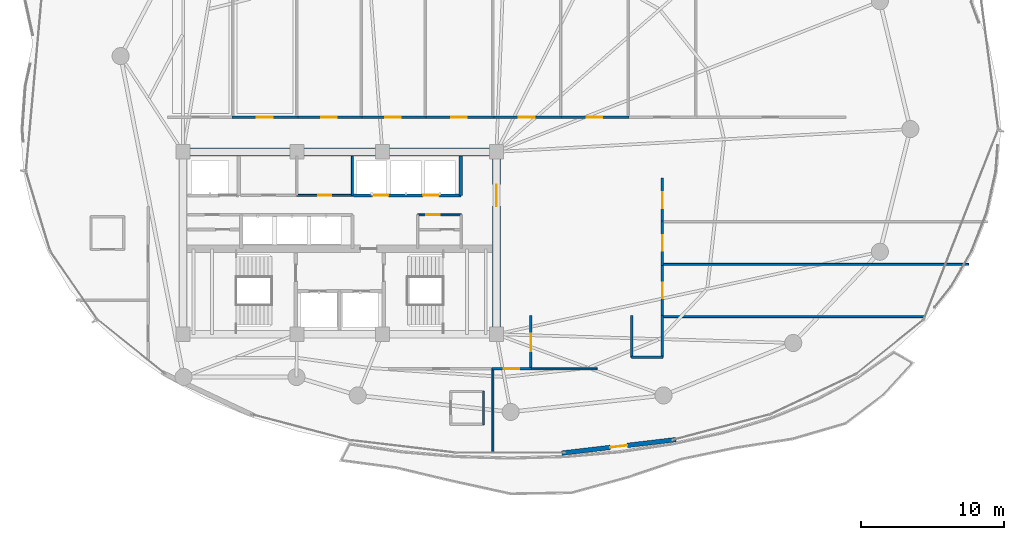
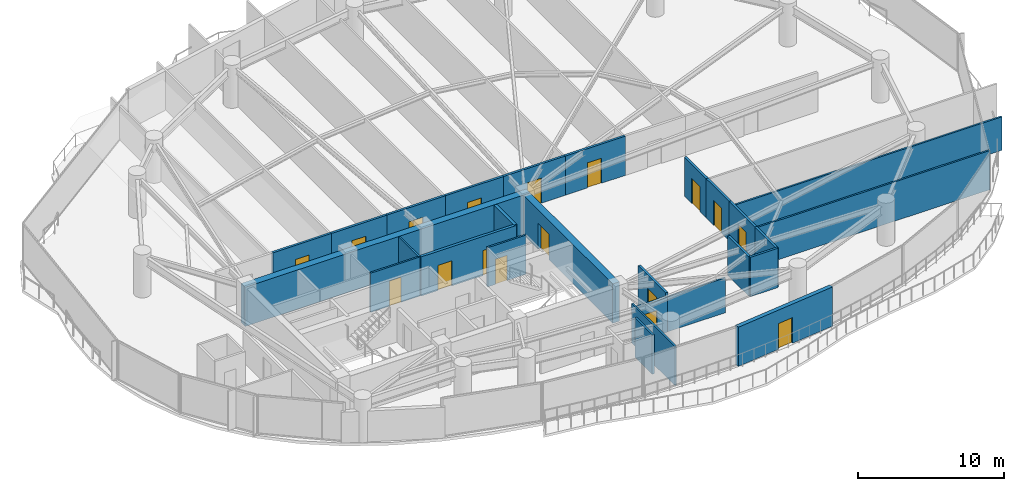
# One storey, part 27 of 33: 27 walls, 17 doors, 17 openings.
"""IFC4 building model written with IfcOpenShell, lengths in metres."""

from ifc_helpers import new_model, si_unit, direction, frame, frame_2d, origin, place, context, subcontext, project, spatial, rectangle, extrude, material, layer, layer_set, type_object, element, fill, save


model = new_model("IFC4")

# Units and contexts
model_context = context("Model", 3, precision=1e-05, world=origin(), true_north=direction((0.0, 1.0)))
body_context = subcontext(model_context, "Body", "Model", "MODEL_VIEW")
ifc_project = project(units=[si_unit("LENGTHUNIT", "METRE"), si_unit("AREAUNIT", "SQUARE_METRE"), si_unit("VOLUMEUNIT", "CUBIC_METRE"), si_unit("PLANEANGLEUNIT", "RADIAN"), si_unit("MASSUNIT", "GRAM", prefix="KILO")], contexts=[model_context])

# Site, building, storey
site_placement = place(None, origin())
site = spatial("IfcSite", under=ifc_project, at=site_placement, CompositionType="ELEMENT")
building_placement = place(site_placement, origin())
building = spatial("IfcBuilding", under=site, at=building_placement, Name="Kazevale Care Tower and Concert Hall", CompositionType="ELEMENT")
storey_placement = place(building_placement, frame((0.0, 0.0, 178.199951171875)))
storey = spatial("IfcBuildingStorey", under=building, at=storey_placement, Name="L47", CompositionType="ELEMENT", Elevation=178.199951171875)

# Wall, opening, door
ifc_material_1 = material(Name="Acoustic Gypsum on Steel Stud", Category="steel")
ifc_layer_1 = layer(ifc_material_1, 0.139892578125)
ifc_layer_set_1 = layer_set([ifc_layer_1], Name="Acoustic Gypsum on Steel Stud")
wall_type_1 = type_object("IfcWallType", Name="Acoustic Care & Suite Partition 140", PredefinedType="PARTITIONING", material=ifc_layer_set_1)
wall_1_placement = place(storey_placement, frame((30.0, 33.35009765625, 0.0), z_axis=(0.0, 0.0, 1.0), x_axis=(1.0, 0.0, 0.0)))
wall_1 = element("IfcWall", 1, at=wall_1_placement, inside=storey, type_object=wall_type_1, Name="wall:L47:c_rpl2_s", PredefinedType="PARTITIONING", context=body_context, shape_type="SweptSolid", body=[
    extrude(rectangle(XDim=3.919921875, YDim=0.139892578125, at=frame_2d((1.9599609375, 0.0))), origin(), (0.0, 0.0, 1.0), 3.280029296875),
])
opening_1_placement = place(wall_1_placement, frame((1.5, 0.0, 0.0)))
opening_1 = element("IfcOpeningElement", 2, at=opening_1_placement, cuts=wall_1, Name="Opening ID-900", PredefinedType="OPENING", context=body_context, shape_type="SweptSolid", body=[
    extrude(rectangle(XDim=0.919921875, YDim=2.10009765625, at=frame_2d((0.4599609375, 1.050048828125))), frame((0.0, 0.079833984375, 0.0), z_axis=(0.0, -1.0, 0.0), x_axis=(1.0, 0.0, 0.0)), (0.0, 0.0, 1.0), 0.159912109375),
])
ifc_material_2 = material(Name="Oak Timber Fire Leaf", Category="wood")
door_type_1 = type_object("IfcDoorType", Name="Bathroom & Service Door 920x2100", OperationType="NOTDEFINED", PredefinedType="DOOR", material=ifc_material_2)
door_1_placement = place(opening_1_placement, origin())
door_1 = element("IfcDoor", 3, at=door_1_placement, inside=storey, type_object=door_type_1, Name="door:L47:d_rpl2", OperationType="SINGLE_SWING_RIGHT", OverallHeight=2.10009765625, OverallWidth=0.919921875, PredefinedType="DOOR", context=body_context, shape_type="SweptSolid", body=[
    extrude(rectangle(XDim=0.919921875, YDim=2.10009765625, at=frame_2d((0.4599609375, 1.050048828125))), frame((0.0, 0.02490234375, 0.0), z_axis=(0.0, -1.0, 0.0), x_axis=(1.0, 0.0, 0.0)), (0.0, 0.0, 1.0), 0.050048828125),
])
fill(opening_1, door_1)

# Wall
wall_2_placement = place(storey_placement, frame((33.89990234375, 33.35009765625, 0.0), z_axis=(0.0, 0.0, 1.0), x_axis=(0.0, 1.0, 0.0)))
element("IfcWall", 4, at=wall_2_placement, inside=storey, type_object=wall_type_1, Name="wall:L47:c_rpl_e", PredefinedType="PARTITIONING", context=body_context, shape_type="SweptSolid", body=[
    extrude(rectangle(XDim=2.75, YDim=0.139892578125, at=frame_2d((1.375, 0.0))), origin(), (0.0, 0.0, 1.0), 3.280029296875),
])

# Wall, opening, door
wall_3_placement = place(storey_placement, frame((38.47998046875, 31.97998046875, 0.0), z_axis=(0.0, 0.0, 1.0), x_axis=(1.0, 0.0, 0.0)))
wall_3 = element("IfcWall", 5, at=wall_3_placement, inside=storey, type_object=wall_type_1, Name="wall:L47:kc_en", PredefinedType="PARTITIONING", context=body_context, shape_type="SweptSolid", body=[
    extrude(rectangle(XDim=3.0400390625, YDim=0.139892578125, at=frame_2d((1.52001953125, 0.0))), origin(), (0.0, 0.0, 1.0), 3.280029296875),
])
opening_2_placement = place(wall_3_placement, frame((0.614013671875, 0.0, 0.0)))
opening_2 = element("IfcOpeningElement", 6, at=opening_2_placement, cuts=wall_3, Name="Opening ID-900", PredefinedType="OPENING", context=body_context, shape_type="SweptSolid", body=[
    extrude(rectangle(XDim=0.919921875, YDim=2.10009765625, at=frame_2d((0.4599609375, 1.050048828125))), frame((0.0, 0.079833984375, 0.0), z_axis=(0.0, -1.0, 0.0), x_axis=(1.0, 0.0, 0.0)), (0.0, 0.0, 1.0), 0.159912109375),
])
door_2_placement = place(opening_2_placement, origin())
door_2 = element("IfcDoor", 7, at=door_2_placement, inside=storey, type_object=door_type_1, Name="door:L47:d_kcet", OperationType="SINGLE_SWING_LEFT", OverallHeight=2.10009765625, OverallWidth=0.919921875, PredefinedType="DOOR", context=body_context, shape_type="SweptSolid", body=[
    extrude(rectangle(XDim=0.919921875, YDim=2.10009765625, at=frame_2d((0.4599609375, 1.050048828125))), frame((0.0, 0.02490234375, 0.0), z_axis=(0.0, -1.0, 0.0), x_axis=(1.0, 0.0, 0.0)), (0.0, 0.0, 1.0), 0.050048828125),
])
fill(opening_2, door_2)

# Walls
wall_4_placement = place(storey_placement, frame((55.6201171875, 24.840087890625, 0.0), z_axis=(0.0, 0.0, 1.0), x_axis=(1.0, 0.0, 0.0)))
element("IfcWall", 8, at=wall_4_placement, inside=storey, type_object=wall_type_1, Name="wall:L47:auto_029", PredefinedType="PARTITIONING", context=body_context, shape_type="SweptSolid", body=[
    extrude(rectangle(XDim=18.44482421875, YDim=0.139892578125, at=frame_2d((9.222412109375, 0.0))), origin(), (0.0, 0.0, 1.0), 3.280029296875),
])
wall_5_placement = place(storey_placement, frame((51.06494140625, 21.175048828125, 0.0), z_axis=(0.0, 0.0, 1.0), x_axis=(-1.0, 0.0, 0.0)))
element("IfcWall", 9, at=wall_5_placement, inside=storey, type_object=wall_type_1, Name="wall:L47:auto_030", PredefinedType="PARTITIONING", context=body_context, shape_type="SweptSolid", body=[
    extrude(rectangle(XDim=4.669921875, YDim=0.139892578125, at=frame_2d((2.3349609375, 0.0))), origin(), (0.0, 0.0, 1.0), 2.916015625),
])
wall_6_placement = place(storey_placement, frame((55.6201171875, 28.5, 0.0), z_axis=(0.0, 0.0, 1.0), x_axis=(1.0, 0.0, 0.0)))
element("IfcWall", 10, at=wall_6_placement, inside=storey, type_object=wall_type_1, Name="wall:L47:auto_031", PredefinedType="PARTITIONING", context=body_context, shape_type="SweptSolid", body=[
    extrude(rectangle(XDim=21.519775390625, YDim=0.139892578125, at=frame_2d((10.759765625, 0.0))), origin(), (0.0, 0.0, 1.0), 2.81005859375),
])
wall_7_placement = place(storey_placement, frame((43.75, 21.205078125, 0.0), z_axis=(0.0, 0.0, 1.0), x_axis=(0.0, -1.0, 0.0)))
element("IfcWall", 11, at=wall_7_placement, inside=storey, type_object=wall_type_1, Name="wall:L47:auto_033", PredefinedType="PARTITIONING", context=body_context, shape_type="SweptSolid", body=[
    extrude(rectangle(XDim=5.906005859375, YDim=0.139892578125, at=frame_2d((2.953125, 0.0))), origin(), (0.0, 0.0, 1.0), 3.280029296875),
])
ifc_material_3 = material(Name="Concrete C60", Category="concrete")
ifc_layer_2 = layer(ifc_material_3, 0.550048828125)
ifc_layer_set_2 = layer_set([ifc_layer_2], Name="Concrete C60")
wall_type_2 = type_object("IfcWallType", Name="Core Shear Wall 550 C60", PredefinedType="SHEAR", material=ifc_layer_set_2)
wall_8_placement = place(storey_placement, frame((21.72509765625, 36.39990234375, 0.0), z_axis=(0.0, 0.0, 1.0), x_axis=(1.0, 0.0, 0.0)))
element("IfcWall", 12, at=wall_8_placement, inside=storey, type_object=wall_type_2, Name="wall:L47:core:N", PredefinedType="SHEAR", context=body_context, shape_type="SweptSolid", body=[
    extrude(rectangle(XDim=22.5498046875, YDim=0.550048828125, at=frame_2d((11.27490234375, 0.0))), origin(), (0.0, 0.0, 1.0), 3.280029296875),
])

# Wall, opening, door
wall_9_placement = place(storey_placement, frame((44.0, 23.875, 0.0), z_axis=(0.0, 0.0, 1.0), x_axis=(0.0, 1.0, 0.0)))
wall_9 = element("IfcWall", 13, at=wall_9_placement, inside=storey, type_object=wall_type_2, Name="wall:L47:core:E", PredefinedType="SHEAR", context=body_context, shape_type="SweptSolid", body=[
    extrude(rectangle(XDim=12.25, YDim=0.550048828125, at=frame_2d((6.125, 0.0))), origin(), (0.0, 0.0, 1.0), 3.280029296875),
])
opening_3_placement = place(wall_9_placement, frame((8.72509765625, 0.0, 0.0)))
opening_3 = element("IfcOpeningElement", 14, at=opening_3_placement, cuts=wall_9, Name="Opening FD-60D", PredefinedType="OPENING", context=body_context, shape_type="SweptSolid", body=[
    extrude(rectangle(XDim=1.5, YDim=2.14990234375, at=frame_2d((0.75, 1.074951171875))), frame((0.0, 0.284912109375, 0.0), z_axis=(0.0, -1.0, 0.0), x_axis=(1.0, 0.0, 0.0)), (0.0, 0.0, 1.0), 0.570068359375),
])
door_type_2 = type_object("IfcDoorType", Name="Double Lobby & Auditorium Fire Door 1500x2150", OperationType="NOTDEFINED", PredefinedType="DOOR", material=ifc_material_2)
door_3_placement = place(opening_3_placement, origin())
door_3 = element("IfcDoor", 15, at=door_3_placement, inside=storey, type_object=door_type_2, Name="door:L47:core_east_out", OperationType="DOUBLE_DOOR_SINGLE_SWING", OverallHeight=2.14990234375, OverallWidth=1.5, PredefinedType="DOOR", context=body_context, shape_type="SweptSolid", body=[
    extrude(rectangle(XDim=1.5, YDim=2.14990234375, at=frame_2d((0.75, 1.074951171875))), frame((0.0, 0.02490234375, 0.0), z_axis=(0.0, -1.0, 0.0), x_axis=(1.0, 0.0, 0.0)), (0.0, 0.0, 1.0), 0.050048828125),
])
fill(opening_3, door_3)

# Wall, openings, doors
ifc_material_4 = material(Name="Concrete C40", Category="concrete")
ifc_layer_3 = layer(ifc_material_4, 0.219970703125)
ifc_layer_set_3 = layer_set([ifc_layer_3], Name="Concrete C40")
wall_type_3 = type_object("IfcWallType", Name="Elevator Hoistway Shaft Wall 220", PredefinedType="SOLIDWALL", material=ifc_layer_set_3)
wall_10_placement = place(storey_placement, frame((33.97998046875, 33.35009765625, 0.0), z_axis=(0.0, 0.0, 1.0), x_axis=(1.0, 0.0, 0.0)))
wall_10 = element("IfcWall", 16, at=wall_10_placement, inside=storey, type_object=wall_type_3, Name="wall:L47:c_pm_s", PredefinedType="SOLIDWALL", context=body_context, shape_type="SweptSolid", body=[
    extrude(rectangle(XDim=7.5400390625, YDim=0.219970703125, at=frame_2d((3.77001953125, 0.0))), origin(), (0.0, 0.0, 1.0), 3.280029296875),
])
opening_4_placement = place(wall_10_placement, frame((1.3349609375, 0.0, 0.0)))
opening_4 = element("IfcOpeningElement", 17, at=opening_4_placement, cuts=wall_10, Name="Opening LD-PAX", PredefinedType="OPENING", context=body_context, shape_type="SweptSolid", body=[
    extrude(rectangle(XDim=1.10009765625, YDim=2.10009765625, at=frame_2d((0.550048828125, 1.050048828125))), frame((0.0, 0.119873046875, 0.0), z_axis=(0.0, -1.0, 0.0), x_axis=(1.0, 0.0, 0.0)), (0.0, 0.0, 1.0), 0.239990234375),
])
opening_5_placement = place(wall_10_placement, frame((4.87890625, 0.0, 0.0)))
opening_5 = element("IfcOpeningElement", 18, at=opening_5_placement, cuts=wall_10, Name="Opening LD-PAX", PredefinedType="OPENING", context=body_context, shape_type="SweptSolid", body=[
    extrude(rectangle(XDim=1.10009765625, YDim=2.10009765625, at=frame_2d((0.550048828125, 1.050048828125))), frame((0.0, 0.119873046875, 0.0), z_axis=(0.0, -1.0, 0.0), x_axis=(1.0, 0.0, 0.0)), (0.0, 0.0, 1.0), 0.239990234375),
])
ifc_material_5 = material(Name="Stainless Steel 316", Category="steel")
door_type_3 = type_object("IfcDoorType", Name="Passenger Lift Sliding Landing Door 1100x2100", OperationType="NOTDEFINED", PredefinedType="DOOR", material=ifc_material_5)
door_4_placement = place(opening_4_placement, origin())
door_4 = element("IfcDoor", 19, at=door_4_placement, inside=storey, type_object=door_type_3, Name="door:L47:ld_pm1", OperationType="SLIDING_TO_LEFT", OverallHeight=2.10009765625, OverallWidth=1.10009765625, PredefinedType="DOOR", context=body_context, shape_type="SweptSolid", body=[
    extrude(rectangle(XDim=1.10009765625, YDim=2.10009765625, at=frame_2d((0.550048828125, 1.050048828125))), frame((0.0, 0.02490234375, 0.0), z_axis=(0.0, -1.0, 0.0), x_axis=(1.0, 0.0, 0.0)), (0.0, 0.0, 1.0), 0.050048828125),
])
fill(opening_4, door_4)
door_5_placement = place(opening_5_placement, origin())
door_5 = element("IfcDoor", 20, at=door_5_placement, inside=storey, type_object=door_type_3, Name="door:L47:ld_pm2", OperationType="SLIDING_TO_RIGHT", OverallHeight=2.10009765625, OverallWidth=1.10009765625, PredefinedType="DOOR", context=body_context, shape_type="SweptSolid", body=[
    extrude(rectangle(XDim=1.10009765625, YDim=2.10009765625, at=frame_2d((0.550048828125, 1.050048828125))), frame((0.0, 0.02490234375, 0.0), z_axis=(0.0, -1.0, 0.0), x_axis=(1.0, 0.0, 0.0)), (0.0, 0.0, 1.0), 0.050048828125),
])
fill(opening_5, door_5)

# Wall
wall_11_placement = place(storey_placement, frame((41.5, 33.35009765625, 0.0), z_axis=(0.0, 0.0, 1.0), x_axis=(0.0, 1.0, 0.0)))
element("IfcWall", 21, at=wall_11_placement, inside=storey, type_object=wall_type_3, Name="wall:L47:c_pm_e", PredefinedType="SOLIDWALL", context=body_context, shape_type="SweptSolid", body=[
    extrude(rectangle(XDim=2.75, YDim=0.219970703125, at=frame_2d((1.375, 0.0))), origin(), (0.0, 0.0, 1.0), 3.280029296875),
])

# Wall, opening, door
ifc_material_6 = material(Name="Concrete C40 and Acoustic Gypsum", Category="concrete")
ifc_layer_4 = layer(ifc_material_6, 0.179931640625)
ifc_layer_set_4 = layer_set([ifc_layer_4], Name="Concrete C40 and Acoustic Gypsum")
wall_type_4 = type_object("IfcWallType", Name="Fire-Rated Corridor & Party Wall 180", PredefinedType="PARTITIONING", material=ifc_layer_set_4)
wall_12_placement = place(storey_placement, frame((25.43505859375, 38.824951171875, 0.0), z_axis=(0.0, 0.0, 1.0), x_axis=(1.0, 0.0, 0.0)))
wall_12 = element("IfcWall", 22, at=wall_12_placement, inside=storey, type_object=wall_type_4, Name="wall:L47:auto_002", PredefinedType="PARTITIONING", context=body_context, shape_type="SweptSolid", body=[
    extrude(rectangle(XDim=4.6298828125, YDim=0.179931640625, at=frame_2d((2.31494140625, 0.0))), origin(), (0.0, 0.0, 1.0), 3.280029296875),
])
opening_6_placement = place(wall_12_placement, frame((1.764892578125, 0.0, 0.0)))
opening_6 = element("IfcOpeningElement", 23, at=opening_6_placement, cuts=wall_12, Name="Opening ID-1100", PredefinedType="OPENING", context=body_context, shape_type="SweptSolid", body=[
    extrude(rectangle(XDim=1.10009765625, YDim=2.10009765625, at=frame_2d((0.550048828125, 1.050048828125))), frame((0.0, 0.099853515625, 0.0), z_axis=(0.0, -1.0, 0.0), x_axis=(1.0, 0.0, 0.0)), (0.0, 0.0, 1.0), 0.199951171875),
])
door_type_4 = type_object("IfcDoorType", Name="Care Bedroom Accessible Door 1100x2100", OperationType="NOTDEFINED", PredefinedType="DOOR", material=ifc_material_2)
door_6_placement = place(opening_6_placement, origin())
door_6 = element("IfcDoor", 24, at=door_6_placement, inside=storey, type_object=door_type_4, Name="door:L47:ad_002", OperationType="SINGLE_SWING_LEFT", OverallHeight=2.10009765625, OverallWidth=1.10009765625, PredefinedType="DOOR", context=body_context, shape_type="SweptSolid", body=[
    extrude(rectangle(XDim=1.10009765625, YDim=2.10009765625, at=frame_2d((0.550048828125, 1.050048828125))), frame((0.0, 0.02490234375, 0.0), z_axis=(0.0, -1.0, 0.0), x_axis=(1.0, 0.0, 0.0)), (0.0, 0.0, 1.0), 0.050048828125),
])
fill(opening_6, door_6)

wall_13_placement = place(storey_placement, frame((29.93505859375, 38.824951171875, 0.0), z_axis=(0.0, 0.0, 1.0), x_axis=(1.0, 0.0, 0.0)))
wall_13 = element("IfcWall", 25, at=wall_13_placement, inside=storey, type_object=wall_type_4, Name="wall:L47:auto_003", PredefinedType="PARTITIONING", context=body_context, shape_type="SweptSolid", body=[
    extrude(rectangle(XDim=4.6298828125, YDim=0.179931640625, at=frame_2d((2.31494140625, 0.0))), origin(), (0.0, 0.0, 1.0), 3.280029296875),
])
opening_7_placement = place(wall_13_placement, frame((1.764892578125, 0.0, 0.0)))
opening_7 = element("IfcOpeningElement", 26, at=opening_7_placement, cuts=wall_13, Name="Opening ID-1100", PredefinedType="OPENING", context=body_context, shape_type="SweptSolid", body=[
    extrude(rectangle(XDim=1.10009765625, YDim=2.10009765625, at=frame_2d((0.550048828125, 1.050048828125))), frame((0.0, 0.099853515625, 0.0), z_axis=(0.0, -1.0, 0.0), x_axis=(1.0, 0.0, 0.0)), (0.0, 0.0, 1.0), 0.199951171875),
])
door_7_placement = place(opening_7_placement, origin())
door_7 = element("IfcDoor", 27, at=door_7_placement, inside=storey, type_object=door_type_4, Name="door:L47:ad_003", OperationType="SINGLE_SWING_LEFT", OverallHeight=2.10009765625, OverallWidth=1.10009765625, PredefinedType="DOOR", context=body_context, shape_type="SweptSolid", body=[
    extrude(rectangle(XDim=1.10009765625, YDim=2.10009765625, at=frame_2d((0.550048828125, 1.050048828125))), frame((0.0, 0.02490234375, 0.0), z_axis=(0.0, -1.0, 0.0), x_axis=(1.0, 0.0, 0.0)), (0.0, 0.0, 1.0), 0.050048828125),
])
fill(opening_7, door_7)

wall_14_placement = place(storey_placement, frame((34.43505859375, 38.824951171875, 0.0), z_axis=(0.0, 0.0, 1.0), x_axis=(1.0, 0.0, 0.0)))
wall_14 = element("IfcWall", 28, at=wall_14_placement, inside=storey, type_object=wall_type_4, Name="wall:L47:auto_004", PredefinedType="PARTITIONING", context=body_context, shape_type="SweptSolid", body=[
    extrude(rectangle(XDim=4.6298828125, YDim=0.179931640625, at=frame_2d((2.31494140625, 0.0))), origin(), (0.0, 0.0, 1.0), 3.280029296875),
])
opening_8_placement = place(wall_14_placement, frame((1.764892578125, 0.0, 0.0)))
opening_8 = element("IfcOpeningElement", 29, at=opening_8_placement, cuts=wall_14, Name="Opening ID-1100", PredefinedType="OPENING", context=body_context, shape_type="SweptSolid", body=[
    extrude(rectangle(XDim=1.10009765625, YDim=2.10009765625, at=frame_2d((0.550048828125, 1.050048828125))), frame((0.0, 0.099853515625, 0.0), z_axis=(0.0, -1.0, 0.0), x_axis=(1.0, 0.0, 0.0)), (0.0, 0.0, 1.0), 0.199951171875),
])
door_8_placement = place(opening_8_placement, origin())
door_8 = element("IfcDoor", 30, at=door_8_placement, inside=storey, type_object=door_type_4, Name="door:L47:ad_004", OperationType="SINGLE_SWING_LEFT", OverallHeight=2.10009765625, OverallWidth=1.10009765625, PredefinedType="DOOR", context=body_context, shape_type="SweptSolid", body=[
    extrude(rectangle(XDim=1.10009765625, YDim=2.10009765625, at=frame_2d((0.550048828125, 1.050048828125))), frame((0.0, 0.02490234375, 0.0), z_axis=(0.0, -1.0, 0.0), x_axis=(1.0, 0.0, 0.0)), (0.0, 0.0, 1.0), 0.050048828125),
])
fill(opening_8, door_8)

wall_15_placement = place(storey_placement, frame((38.93505859375, 38.824951171875, 0.0), z_axis=(0.0, 0.0, 1.0), x_axis=(1.0, 0.0, 0.0)))
wall_15 = element("IfcWall", 31, at=wall_15_placement, inside=storey, type_object=wall_type_4, Name="wall:L47:auto_005", PredefinedType="PARTITIONING", context=body_context, shape_type="SweptSolid", body=[
    extrude(rectangle(XDim=4.8798828125, YDim=0.179931640625, at=frame_2d((2.43994140625, 0.0))), origin(), (0.0, 0.0, 1.0), 3.280029296875),
])
opening_9_placement = place(wall_15_placement, frame((1.889892578125, 0.0, 0.0)))
opening_9 = element("IfcOpeningElement", 32, at=opening_9_placement, cuts=wall_15, Name="Opening ID-1100", PredefinedType="OPENING", context=body_context, shape_type="SweptSolid", body=[
    extrude(rectangle(XDim=1.10009765625, YDim=2.10009765625, at=frame_2d((0.550048828125, 1.050048828125))), frame((0.0, 0.099853515625, 0.0), z_axis=(0.0, -1.0, 0.0), x_axis=(1.0, 0.0, 0.0)), (0.0, 0.0, 1.0), 0.199951171875),
])
door_9_placement = place(opening_9_placement, origin())
door_9 = element("IfcDoor", 33, at=door_9_placement, inside=storey, type_object=door_type_4, Name="door:L47:ad_005", OperationType="SINGLE_SWING_LEFT", OverallHeight=2.10009765625, OverallWidth=1.10009765625, PredefinedType="DOOR", context=body_context, shape_type="SweptSolid", body=[
    extrude(rectangle(XDim=1.10009765625, YDim=2.10009765625, at=frame_2d((0.550048828125, 1.050048828125))), frame((0.0, 0.02490234375, 0.0), z_axis=(0.0, -1.0, 0.0), x_axis=(1.0, 0.0, 0.0)), (0.0, 0.0, 1.0), 0.050048828125),
])
fill(opening_9, door_9)

wall_16_placement = place(storey_placement, frame((43.68505859375, 38.824951171875, 0.0), z_axis=(0.0, 0.0, 1.0), x_axis=(1.0, 0.0, 0.0)))
wall_16 = element("IfcWall", 34, at=wall_16_placement, inside=storey, type_object=wall_type_4, Name="wall:L47:auto_006", PredefinedType="PARTITIONING", context=body_context, shape_type="SweptSolid", body=[
    extrude(rectangle(XDim=4.8798828125, YDim=0.179931640625, at=frame_2d((2.43994140625, 0.0))), origin(), (0.0, 0.0, 1.0), 3.280029296875),
])
opening_10_placement = place(wall_16_placement, frame((1.889892578125, 0.0, 0.0)))
opening_10 = element("IfcOpeningElement", 35, at=opening_10_placement, cuts=wall_16, Name="Opening ID-1100", PredefinedType="OPENING", context=body_context, shape_type="SweptSolid", body=[
    extrude(rectangle(XDim=1.10009765625, YDim=2.10009765625, at=frame_2d((0.550048828125, 1.050048828125))), frame((0.0, 0.099853515625, 0.0), z_axis=(0.0, -1.0, 0.0), x_axis=(1.0, 0.0, 0.0)), (0.0, 0.0, 1.0), 0.199951171875),
])
door_10_placement = place(opening_10_placement, origin())
door_10 = element("IfcDoor", 36, at=door_10_placement, inside=storey, type_object=door_type_4, Name="door:L47:ad_006", OperationType="SINGLE_SWING_LEFT", OverallHeight=2.10009765625, OverallWidth=1.10009765625, PredefinedType="DOOR", context=body_context, shape_type="SweptSolid", body=[
    extrude(rectangle(XDim=1.10009765625, YDim=2.10009765625, at=frame_2d((0.550048828125, 1.050048828125))), frame((0.0, 0.02490234375, 0.0), z_axis=(0.0, -1.0, 0.0), x_axis=(1.0, 0.0, 0.0)), (0.0, 0.0, 1.0), 0.050048828125),
])
fill(opening_10, door_10)

wall_17_placement = place(storey_placement, frame((48.43505859375, 38.824951171875, 0.0), z_axis=(0.0, 0.0, 1.0), x_axis=(1.0, 0.0, 0.0)))
wall_17 = element("IfcWall", 37, at=wall_17_placement, inside=storey, type_object=wall_type_4, Name="wall:L47:auto_007", PredefinedType="PARTITIONING", context=body_context, shape_type="SweptSolid", body=[
    extrude(rectangle(XDim=4.8798828125, YDim=0.179931640625, at=frame_2d((2.43994140625, 0.0))), origin(), (0.0, 0.0, 1.0), 3.280029296875),
])
opening_11_placement = place(wall_17_placement, frame((1.889892578125, 0.0, 0.0)))
opening_11 = element("IfcOpeningElement", 38, at=opening_11_placement, cuts=wall_17, Name="Opening ID-1100", PredefinedType="OPENING", context=body_context, shape_type="SweptSolid", body=[
    extrude(rectangle(XDim=1.10009765625, YDim=2.10009765625, at=frame_2d((0.550048828125, 1.050048828125))), frame((0.0, 0.099853515625, 0.0), z_axis=(0.0, -1.0, 0.0), x_axis=(1.0, 0.0, 0.0)), (0.0, 0.0, 1.0), 0.199951171875),
])
door_11_placement = place(opening_11_placement, origin())
door_11 = element("IfcDoor", 39, at=door_11_placement, inside=storey, type_object=door_type_4, Name="door:L47:ad_007", OperationType="SINGLE_SWING_LEFT", OverallHeight=2.10009765625, OverallWidth=1.10009765625, PredefinedType="DOOR", context=body_context, shape_type="SweptSolid", body=[
    extrude(rectangle(XDim=1.10009765625, YDim=2.10009765625, at=frame_2d((0.550048828125, 1.050048828125))), frame((0.0, 0.02490234375, 0.0), z_axis=(0.0, -1.0, 0.0), x_axis=(1.0, 0.0, 0.0)), (0.0, 0.0, 1.0), 0.050048828125),
])
fill(opening_11, door_11)

wall_18_placement = place(storey_placement, frame((46.425048828125, 24.905029296875, 0.0), z_axis=(0.0, 0.0, 1.0), x_axis=(0.0, -1.0, 0.0)))
wall_18 = element("IfcWall", 40, at=wall_18_placement, inside=storey, type_object=wall_type_4, Name="wall:L47:auto_010", PredefinedType="PARTITIONING", context=body_context, shape_type="SweptSolid", body=[
    extrude(rectangle(XDim=3.760009765625, YDim=0.179931640625, at=frame_2d((1.8798828125, 0.0))), origin(), (0.0, 0.0, 1.0), 3.280029296875),
])
opening_12_placement = place(wall_18_placement, frame((1.280029296875, 0.0, 0.0)))
opening_12 = element("IfcOpeningElement", 41, at=opening_12_placement, cuts=wall_18, Name="Opening ID-1200", PredefinedType="OPENING", context=body_context, shape_type="SweptSolid", body=[
    extrude(rectangle(XDim=1.199951171875, YDim=2.14990234375, at=frame_2d((0.60009765625, 1.074951171875))), frame((0.0, 0.099853515625, 0.0), z_axis=(0.0, -1.0, 0.0), x_axis=(1.0, 0.0, 0.0)), (0.0, 0.0, 1.0), 0.199951171875),
])
door_type_5 = type_object("IfcDoorType", Name="Clinical & Therapy Door 1200x2150", OperationType="NOTDEFINED", PredefinedType="DOOR", material=ifc_material_2)
door_12_placement = place(opening_12_placement, origin())
door_12 = element("IfcDoor", 42, at=door_12_placement, inside=storey, type_object=door_type_5, Name="door:L47:ad_010", OperationType="SINGLE_SWING_LEFT", OverallHeight=2.14990234375, OverallWidth=1.199951171875, PredefinedType="DOOR", context=body_context, shape_type="SweptSolid", body=[
    extrude(rectangle(XDim=1.199951171875, YDim=2.14990234375, at=frame_2d((0.60009765625, 1.074951171875))), frame((0.0, 0.02490234375, 0.0), z_axis=(0.0, -1.0, 0.0), x_axis=(1.0, 0.0, 0.0)), (0.0, 0.0, 1.0), 0.050048828125),
])
fill(opening_12, door_12)

# Walls
for number, where, z_axis, x_axis, name in (
    (43, (55.64990234375, 24.905029296875, 0.0), (0.0, 0.0, 1.0), (0.0, -1.0, 0.0), "wall:L47:auto_011"),
    (44, (53.5, 21.969970703125, 0.0), (0.0, 0.0, 1.0), (0.0, 1.0, 0.0), "wall:L47:auto_012"),
):
    element("IfcWall", number, at=place(storey_placement, frame(where, z_axis=z_axis, x_axis=x_axis)), inside=storey, type_object=wall_type_4, Name=name, PredefinedType="PARTITIONING", context=body_context, shape_type="SweptSolid", body=[
        extrude(rectangle(XDim=2.93505859375, YDim=0.179931640625, at=frame_2d((1.467529296875, 0.0))), origin(), (0.0, 0.0, 1.0), 3.280029296875),
    ])
wall_19_placement = place(storey_placement, frame((55.679931640625, 22.0, 0.0), z_axis=(0.0, 0.0, 1.0), x_axis=(-1.0, 0.0, 0.0)))
element("IfcWall", 45, at=wall_19_placement, inside=storey, type_object=wall_type_4, Name="wall:L47:auto_013", PredefinedType="PARTITIONING", context=body_context, shape_type="SweptSolid", body=[
    extrude(rectangle(XDim=2.2099609375, YDim=0.179931640625, at=frame_2d((1.10498046875, 0.0))), origin(), (0.0, 0.0, 1.0), 3.280029296875),
])

# Wall, opening, door
wall_20_placement = place(storey_placement, frame((55.64990234375, 28.56494140625, 0.0), z_axis=(0.0, 0.0, 1.0), x_axis=(0.0, -1.0, 0.0)))
wall_20 = element("IfcWall", 46, at=wall_20_placement, inside=storey, type_object=wall_type_4, Name="wall:L47:auto_014", PredefinedType="PARTITIONING", context=body_context, shape_type="SweptSolid", body=[
    extrude(rectangle(XDim=3.7900390625, YDim=0.179931640625, at=frame_2d((1.89501953125, 0.0))), origin(), (0.0, 0.0, 1.0), 3.280029296875),
])
opening_13_placement = place(wall_20_placement, frame((1.344970703125, 0.0, 0.0)))
opening_13 = element("IfcOpeningElement", 47, at=opening_13_placement, cuts=wall_20, Name="Opening ID-1100", PredefinedType="OPENING", context=body_context, shape_type="SweptSolid", body=[
    extrude(rectangle(XDim=1.10009765625, YDim=2.10009765625, at=frame_2d((0.550048828125, 1.050048828125))), frame((0.0, 0.099853515625, 0.0), z_axis=(0.0, -1.0, 0.0), x_axis=(1.0, 0.0, 0.0)), (0.0, 0.0, 1.0), 0.199951171875),
])
door_13_placement = place(opening_13_placement, origin())
door_13 = element("IfcDoor", 48, at=door_13_placement, inside=storey, type_object=door_type_4, Name="door:L47:ad_014", OperationType="SINGLE_SWING_LEFT", OverallHeight=2.10009765625, OverallWidth=1.10009765625, PredefinedType="DOOR", context=body_context, shape_type="SweptSolid", body=[
    extrude(rectangle(XDim=1.10009765625, YDim=2.10009765625, at=frame_2d((0.550048828125, 1.050048828125))), frame((0.0, 0.02490234375, 0.0), z_axis=(0.0, -1.0, 0.0), x_axis=(1.0, 0.0, 0.0)), (0.0, 0.0, 1.0), 0.050048828125),
])
fill(opening_13, door_13)

wall_21_placement = place(storey_placement, frame((55.64990234375, 31.56494140625, 0.0), z_axis=(0.0, 0.0, 1.0), x_axis=(0.0, -1.0, 0.0)))
wall_21 = element("IfcWall", 49, at=wall_21_placement, inside=storey, type_object=wall_type_4, Name="wall:L47:auto_015", PredefinedType="PARTITIONING", context=body_context, shape_type="SweptSolid", body=[
    extrude(rectangle(XDim=3.1298828125, YDim=0.179931640625, at=frame_2d((1.56494140625, 0.0))), origin(), (0.0, 0.0, 1.0), 3.280029296875),
])
opening_14_placement = place(wall_21_placement, frame((1.014892578125, 0.0, 0.0)))
opening_14 = element("IfcOpeningElement", 50, at=opening_14_placement, cuts=wall_21, Name="Opening ID-1100", PredefinedType="OPENING", context=body_context, shape_type="SweptSolid", body=[
    extrude(rectangle(XDim=1.10009765625, YDim=2.10009765625, at=frame_2d((0.550048828125, 1.050048828125))), frame((0.0, 0.099853515625, 0.0), z_axis=(0.0, -1.0, 0.0), x_axis=(1.0, 0.0, 0.0)), (0.0, 0.0, 1.0), 0.199951171875),
])
door_14_placement = place(opening_14_placement, origin())
door_14 = element("IfcDoor", 51, at=door_14_placement, inside=storey, type_object=door_type_4, Name="door:L47:ad_015", OperationType="SINGLE_SWING_LEFT", OverallHeight=2.10009765625, OverallWidth=1.10009765625, PredefinedType="DOOR", context=body_context, shape_type="SweptSolid", body=[
    extrude(rectangle(XDim=1.10009765625, YDim=2.10009765625, at=frame_2d((0.550048828125, 1.050048828125))), frame((0.0, 0.02490234375, 0.0), z_axis=(0.0, -1.0, 0.0), x_axis=(1.0, 0.0, 0.0)), (0.0, 0.0, 1.0), 0.050048828125),
])
fill(opening_14, door_14)

wall_22_placement = place(storey_placement, frame((55.64990234375, 34.56494140625, 0.0), z_axis=(0.0, 0.0, 1.0), x_axis=(0.0, -1.0, 0.0)))
wall_22 = element("IfcWall", 52, at=wall_22_placement, inside=storey, type_object=wall_type_4, Name="wall:L47:auto_016", PredefinedType="PARTITIONING", context=body_context, shape_type="SweptSolid", body=[
    extrude(rectangle(XDim=3.1298828125, YDim=0.179931640625, at=frame_2d((1.56494140625, 0.0))), origin(), (0.0, 0.0, 1.0), 3.280029296875),
])
opening_15_placement = place(wall_22_placement, frame((1.014892578125, 0.0, 0.0)))
opening_15 = element("IfcOpeningElement", 53, at=opening_15_placement, cuts=wall_22, Name="Opening ID-1100", PredefinedType="OPENING", context=body_context, shape_type="SweptSolid", body=[
    extrude(rectangle(XDim=1.10009765625, YDim=2.10009765625, at=frame_2d((0.550048828125, 1.050048828125))), frame((0.0, 0.099853515625, 0.0), z_axis=(0.0, -1.0, 0.0), x_axis=(1.0, 0.0, 0.0)), (0.0, 0.0, 1.0), 0.199951171875),
])
door_15_placement = place(opening_15_placement, origin())
door_15 = element("IfcDoor", 54, at=door_15_placement, inside=storey, type_object=door_type_4, Name="door:L47:ad_016", OperationType="SINGLE_SWING_LEFT", OverallHeight=2.10009765625, OverallWidth=1.10009765625, PredefinedType="DOOR", context=body_context, shape_type="SweptSolid", body=[
    extrude(rectangle(XDim=1.10009765625, YDim=2.10009765625, at=frame_2d((0.550048828125, 1.050048828125))), frame((0.0, 0.02490234375, 0.0), z_axis=(0.0, -1.0, 0.0), x_axis=(1.0, 0.0, 0.0)), (0.0, 0.0, 1.0), 0.050048828125),
])
fill(opening_15, door_15)

wall_23_placement = place(storey_placement, frame((46.455078125, 21.175048828125, 0.0), z_axis=(0.0, 0.0, 1.0), x_axis=(-1.0, 0.0, 0.0)))
wall_23 = element("IfcWall", 55, at=wall_23_placement, inside=storey, type_object=wall_type_4, Name="wall:L47:auto_018", PredefinedType="PARTITIONING", context=body_context, shape_type="SweptSolid", body=[
    extrude(rectangle(XDim=2.77001953125, YDim=0.179931640625, at=frame_2d((1.385009765625, 0.0))), origin(), (0.0, 0.0, 1.0), 2.916015625),
])
opening_16_placement = place(wall_23_placement, frame((0.8349609375, 0.0, 0.0)))
opening_16 = element("IfcOpeningElement", 56, at=opening_16_placement, cuts=wall_23, Name="Opening ID-1100", PredefinedType="OPENING", context=body_context, shape_type="SweptSolid", body=[
    extrude(rectangle(XDim=1.10009765625, YDim=2.10009765625, at=frame_2d((0.550048828125, 1.050048828125))), frame((0.0, 0.099853515625, 0.0), z_axis=(0.0, -1.0, 0.0), x_axis=(1.0, 0.0, 0.0)), (0.0, 0.0, 1.0), 0.199951171875),
])
door_16_placement = place(opening_16_placement, origin())
door_16 = element("IfcDoor", 57, at=door_16_placement, inside=storey, type_object=door_type_4, Name="door:L47:ad_018", OperationType="SINGLE_SWING_LEFT", OverallHeight=2.10009765625, OverallWidth=1.10009765625, PredefinedType="DOOR", context=body_context, shape_type="SweptSolid", body=[
    extrude(rectangle(XDim=1.10009765625, YDim=2.10009765625, at=frame_2d((0.550048828125, 1.050048828125))), frame((0.0, 0.02490234375, 0.0), z_axis=(0.0, -1.0, 0.0), x_axis=(1.0, 0.0, 0.0)), (0.0, 0.0, 1.0), 0.050048828125),
])
fill(opening_16, door_16)

# Wall
ifc_layer_5 = layer(ifc_material_1, 0.159912109375)
ifc_layer_set_5 = layer_set([ifc_layer_5], Name="Acoustic Gypsum on Steel Stud")
wall_type_5 = type_object("IfcWallType", Name="Moisture-Resistant Bathroom Plumbing Wall 160", PredefinedType="PLUMBINGWALL", material=ifc_layer_set_5)
wall_24_placement = place(storey_placement, frame((43.10009765625, 17.241943359375, 0.0), z_axis=(0.0, 0.0, 1.0), x_axis=(0.0, 1.0, 0.0)))
element("IfcWall", 58, at=wall_24_placement, inside=storey, type_object=wall_type_5, Name="wall:L47:sb2a_ens_we", PredefinedType="PLUMBINGWALL", context=body_context, shape_type="SweptSolid", body=[
    extrude(rectangle(XDim=2.380126953125, YDim=0.159912109375, at=frame_2d((1.18994140625, 0.0))), origin(), (0.0, 0.0, 1.0), 3.280029296875),
])

# Wall, opening, door
ifc_material_7 = material(Name="Concrete C40 with Honed Limestone Cladding", Category="masonry")
ifc_layer_6 = layer(ifc_material_7, 0.320068359375)
ifc_layer_set_6 = layer_set([ifc_layer_6], Name="Concrete C40 with Honed Limestone Cladding")
wall_type_6 = type_object("IfcWallType", Name="Tower Honed Limestone Spandrel Wall 320", PredefinedType="STANDARD", material=ifc_layer_set_6)
wall_25_placement = place(storey_placement, frame((56.5869140625, 16.205078125, 0.0), z_axis=(0.0, 0.0, 1.0), x_axis=(-0.993072847957, -0.117500292131, 0.0)))
wall_25 = element("IfcWall", 59, at=wall_25_placement, inside=storey, type_object=wall_type_6, Name="wall:L47:bal_host", PredefinedType="STANDARD", context=body_context, shape_type="SweptSolid", body=[
    extrude(rectangle(XDim=8.059814453125, YDim=0.320068359375, at=frame_2d((4.02978515625, 0.0))), origin(), (0.0, 0.0, 1.0), 3.280029296875),
])
opening_17_placement = place(wall_25_placement, frame((3.429931640625, 0.0, 0.0)))
opening_17 = element("IfcOpeningElement", 60, at=opening_17_placement, cuts=wall_25, Name="Opening BD-1200", PredefinedType="OPENING", context=body_context, shape_type="SweptSolid", body=[
    extrude(rectangle(XDim=1.199951171875, YDim=2.14990234375, at=frame_2d((0.60009765625, 1.074951171875))), frame((0.0, 0.169921875, 0.0), z_axis=(0.0, -1.0, 0.0), x_axis=(1.0, 0.0, 0.0)), (0.0, 0.0, 1.0), 0.340087890625),
])
ifc_material_8 = material(Name="Aluminium 6063-T6 and Low-E Glass", Category="aluminium")
door_type_6 = type_object("IfcDoorType", Name="Sheltered Balcony Glazed Door 1200x2150", OperationType="NOTDEFINED", PredefinedType="DOOR", material=ifc_material_8)
door_17_placement = place(opening_17_placement, origin())
door_17 = element("IfcDoor", 61, at=door_17_placement, inside=storey, type_object=door_type_6, Name="door:L47:BD-1", OperationType="SINGLE_SWING_LEFT", OverallHeight=2.14990234375, OverallWidth=1.199951171875, PredefinedType="DOOR", context=body_context, shape_type="SweptSolid", body=[
    extrude(rectangle(XDim=1.199951171875, YDim=2.14990234375, at=frame_2d((0.60009765625, 1.074951171875))), frame((0.0, 0.02490234375, 0.0), z_axis=(0.0, -1.0, 0.0), x_axis=(1.0, 0.0, 0.0)), (0.0, 0.0, 1.0), 0.050048828125),
])
fill(opening_17, door_17)

save(model, "model.ifc")
